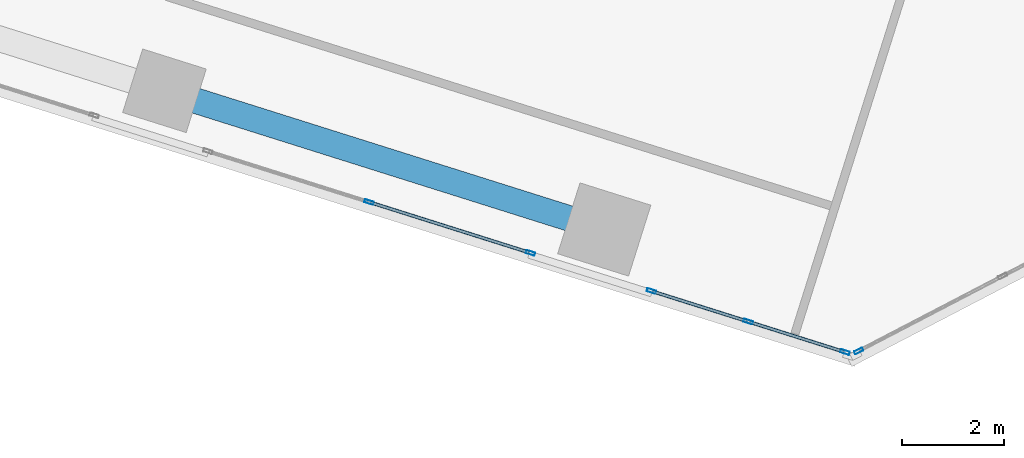
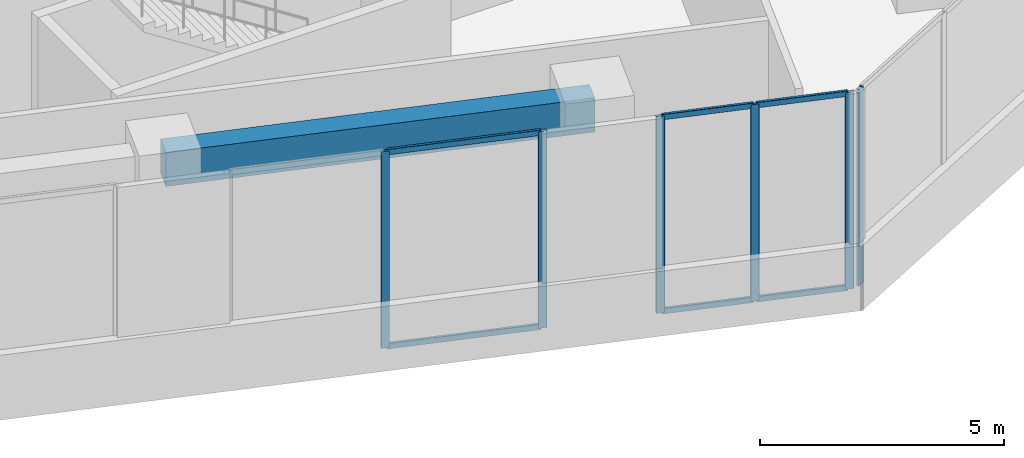
# One storey, part 4 of 28: 12 members, 1 beam, 3 elements without a shape of their own.
"""IFC4 building model written with IfcOpenShell, lengths in metres."""

from ifc_helpers import new_model, si_unit, direction, frame, origin, origin_2d, place, context, subcontext, project, spatial, rectangle, hollow_rectangle, extrude, source, transform, mapped, material, material_profile, profile_set, type_object, element, aggregate, save


model = new_model("IFC4")

# Units and contexts
model_context = context("Model", 3, precision=1e-05, world=origin(), true_north=direction((0.0, 1.0)))
body_context = subcontext(model_context, "Body", "Model", "MODEL_VIEW")
ifc_project = project(units=[si_unit("LENGTHUNIT", "METRE"), si_unit("AREAUNIT", "SQUARE_METRE"), si_unit("VOLUMEUNIT", "CUBIC_METRE"), si_unit("PLANEANGLEUNIT", "RADIAN"), si_unit("MASSUNIT", "GRAM", prefix="KILO")], contexts=[model_context])

# Site, building, storey
site_placement = place(None, origin())
site = spatial("IfcSite", under=ifc_project, at=site_placement, CompositionType="ELEMENT")
building_placement = place(site_placement, origin())
building = spatial("IfcBuilding", under=site, at=building_placement, Name="Torre Montelarca", CompositionType="ELEMENT")
storey_placement = place(building_placement, frame((0.0, 0.0, 116.800048828125)))
storey = spatial("IfcBuildingStorey", under=building, at=storey_placement, Name="L26", CompositionType="ELEMENT", Elevation=116.800048828125)

# Beam
ifc_material_1 = material(Name="Concrete C55/67", Category="concrete")
ifc_material_profile_1 = material_profile(ifc_material_1, rectangle(XDim=0.5, YDim=0.85009765625, at=origin_2d()), Name="RCB500X850", Category="concrete")
ifc_profile_set_1 = profile_set([ifc_material_profile_1], Name="Concrete C55/67")
beam_type = type_object("IfcBeamType", Name="BM-SP-RC850-EXT", PredefinedType="SPANDREL", material=ifc_profile_set_1)
shared_shape_1 = source(origin(), body_context, "Body", "SweptSolid", [
    extrude(rectangle(XDim=0.5, YDim=0.85009765625, at=origin_2d()), origin(), (0.0, 0.0, 1.0), 8.999755859375),
])
beam_placement = place(storey_placement, frame((12.989990234375, 16.6484375, 4.695068359375), z_axis=(0.953716635826, -0.300706798308, 0.0), x_axis=(0.300706798308, 0.953716635826, 0.0)))
element("IfcBeam", 1, at=beam_placement, inside=storey, type_object=beam_type, Name="L26 Grid Girder X 18.0-27.0 at Y=14.8", PredefinedType="SPANDREL", context=body_context, shape_type="MappedRepresentation", body=[
    mapped(shared_shape_1, transform((0.0, 0.0, 0.0), scale=1.0)),
])

# Curtain wall, members
ifc_material_2 = material(Name="Insulated low-E laminated glass", Category="glass")
curtain_wall_type = type_object("IfcCurtainWallType", Name="CW-SYS-Z1", PredefinedType="USERDEFINED", material=ifc_material_2)
curtain_wall_1_placement = place(storey_placement, origin())
curtain_wall_1 = element("IfcCurtainWall", 2, at=curtain_wall_1_placement, inside=storey, type_object=curtain_wall_type, Name="L26 Curtain Wall Run CW-T3-L26-E01-B2", ObjectType="UNITISED GLAZING", PredefinedType="USERDEFINED")
ifc_material_3 = material(Name="Anodised aluminium AA 6063-T6", Category="aluminium")
ifc_material_profile_2 = material_profile(ifc_material_3, hollow_rectangle(XDim=0.06494140625, YDim=0.139892578125, WallThickness=0.00390625, InnerFilletRadius=0.00390625, OuterFilletRadius=0.008056640625, at=origin_2d()), Name="ALU65X140X4", Category="aluminium")
ifc_profile_set_2 = profile_set([ifc_material_profile_2], Name="Anodised aluminium AA 6063-T6")
member_type_1 = type_object("IfcMemberType", Name="CWT-ALU140", PredefinedType="USERDEFINED", material=ifc_profile_set_2)
shared_shape_2 = source(origin(), body_context, "Body", "SweptSolid", [
    extrude(hollow_rectangle(XDim=0.06494140625, YDim=0.139892578125, WallThickness=0.00390625, InnerFilletRadius=0.00390625, OuterFilletRadius=0.008056640625, at=origin_2d()), origin(), (0.0, 0.0, 1.0), 3.235107421875),
])
member_1_placement = place(storey_placement, frame((17.01513671875, 14.46728515625, 0.032470703125), z_axis=(0.95371145552, -0.300723227587, 0.0), x_axis=(0.300723227587, 0.95371145552, 0.0)))
member_1 = element("IfcMember", 3, at=member_1_placement, type_object=member_type_1, Name="CW transom 2.1", ObjectType="TRANSOM", PredefinedType="USERDEFINED", context=body_context, shape_type="MappedRepresentation", body=[
    mapped(shared_shape_2, transform((0.0, 0.0, 0.0), scale=1.0)),
])
member_2_placement = place(storey_placement, frame((17.01513671875, 14.46728515625, 4.887451171875), z_axis=(0.95371145552, -0.300723227587, 0.0), x_axis=(0.300723227587, 0.95371145552, 0.0)))
member_2 = element("IfcMember", 4, at=member_2_placement, type_object=member_type_1, Name="CW transom 2.2", ObjectType="TRANSOM", PredefinedType="USERDEFINED", context=body_context, shape_type="MappedRepresentation", body=[
    mapped(shared_shape_2, transform((0.0, 0.0, 0.0), scale=1.0)),
])

curtain_wall_2_placement = place(storey_placement, origin())
curtain_wall_2 = element("IfcCurtainWall", 5, at=curtain_wall_2_placement, inside=storey, type_object=curtain_wall_type, Name="L26 Curtain Wall Run CW-T3-L26-E01-B3", ObjectType="UNITISED GLAZING", PredefinedType="USERDEFINED")
shared_shape_3 = source(origin(), body_context, "Body", "SweptSolid", [
    extrude(hollow_rectangle(XDim=0.06494140625, YDim=0.139892578125, WallThickness=0.00390625, InnerFilletRadius=0.00390625, OuterFilletRadius=0.008056640625, at=origin_2d()), origin(), (0.0, 0.0, 1.0), 1.9169921875),
])
member_3_placement = place(storey_placement, frame((24.413330078125, 12.134521484375, 0.032470703125), z_axis=(0.953726907375, -0.300674219297, 0.0), x_axis=(0.300674219297, 0.953726907375, 0.0)))
member_3 = element("IfcMember", 6, at=member_3_placement, type_object=member_type_1, Name="CW transom 2.1", ObjectType="TRANSOM", PredefinedType="USERDEFINED", context=body_context, shape_type="MappedRepresentation", body=[
    mapped(shared_shape_3, transform((0.0, 0.0, 0.0), scale=1.0)),
])
member_4_placement = place(storey_placement, frame((24.413330078125, 12.134521484375, 4.887451171875), z_axis=(0.953726907375, -0.300674219297, 0.0), x_axis=(0.300674219297, 0.953726907375, 0.0)))
member_4 = element("IfcMember", 7, at=member_4_placement, type_object=member_type_1, Name="CW transom 2.2", ObjectType="TRANSOM", PredefinedType="USERDEFINED", context=body_context, shape_type="MappedRepresentation", body=[
    mapped(shared_shape_3, transform((0.0, 0.0, 0.0), scale=1.0)),
])
shared_shape_4 = source(origin(), body_context, "Body", "SweptSolid", [
    extrude(hollow_rectangle(XDim=0.06494140625, YDim=0.139892578125, WallThickness=0.00390625, InnerFilletRadius=0.00390625, OuterFilletRadius=0.008056640625, at=origin_2d()), origin(), (0.0, 0.0, 1.0), 1.917236328125),
])
member_5_placement = place(storey_placement, frame((22.52294921875, 12.730712890625, 0.032470703125), z_axis=(0.953690382608, -0.300790049903, 0.0), x_axis=(0.300790049903, 0.953690382608, 0.0)))
member_5 = element("IfcMember", 8, at=member_5_placement, type_object=member_type_1, Name="CW transom 1.1", ObjectType="TRANSOM", PredefinedType="USERDEFINED", context=body_context, shape_type="MappedRepresentation", body=[
    mapped(shared_shape_4, transform((0.0, 0.0, 0.0), scale=1.0)),
])
member_6_placement = place(storey_placement, frame((22.52294921875, 12.730712890625, 4.887451171875), z_axis=(0.953690382608, -0.300790049903, 0.0), x_axis=(0.300790049903, 0.953690382608, 0.0)))
member_6 = element("IfcMember", 9, at=member_6_placement, type_object=member_type_1, Name="CW transom 1.2", ObjectType="TRANSOM", PredefinedType="USERDEFINED", context=body_context, shape_type="MappedRepresentation", body=[
    mapped(shared_shape_4, transform((0.0, 0.0, 0.0), scale=1.0)),
])

# Member
ifc_material_profile_3 = material_profile(ifc_material_3, hollow_rectangle(XDim=0.06494140625, YDim=0.179931640625, WallThickness=0.00390625, InnerFilletRadius=0.00390625, OuterFilletRadius=0.008056640625, at=origin_2d()), Name="ALU65X180X4", Category="aluminium")
ifc_profile_set_3 = profile_set([ifc_material_profile_3], Name="Anodised aluminium AA 6063-T6")
member_type_2 = type_object("IfcMemberType", Name="CWM-ALU180", PredefinedType="MULLION", material=ifc_profile_set_3)
shared_shape_5 = source(origin(), body_context, "Body", "SweptSolid", [
    extrude(hollow_rectangle(XDim=0.06494140625, YDim=0.179931640625, WallThickness=0.00390625, InnerFilletRadius=0.00390625, OuterFilletRadius=0.008056640625, at=origin_2d()), origin(), (0.0, 0.0, 1.0), 4.919921875),
])
member_7_placement = place(storey_placement, frame((16.984130859375, 14.47705078125, 0.0), z_axis=(0.0, 0.0, 1.0), x_axis=(0.300692595648, 0.953721113808, 0.0)))
member_7 = element("IfcMember", 10, at=member_7_placement, type_object=member_type_2, Name="CW mullion 2", PredefinedType="MULLION", context=body_context, shape_type="MappedRepresentation", body=[
    mapped(shared_shape_5, transform((0.0, 0.0, 0.0), scale=1.0)),
])

member_8_placement = place(storey_placement, frame((20.131591796875, 13.484619140625, 0.0), z_axis=(0.0, 0.0, 1.0), x_axis=(0.300692595648, 0.953721113808, 0.0)))
member_8 = element("IfcMember", 11, at=member_8_placement, type_object=member_type_2, Name="CW mullion 3", PredefinedType="MULLION", context=body_context, shape_type="MappedRepresentation", body=[
    mapped(shared_shape_5, transform((0.0, 0.0, 0.0), scale=1.0)),
])

aggregate(curtain_wall_1, [member_7, member_8, member_1, member_2])

member_9_placement = place(storey_placement, frame((22.491943359375, 12.740478515625, 0.0), z_axis=(0.0, 0.0, 1.0), x_axis=(0.300706102902, 0.953716855087, 0.0)))
member_9 = element("IfcMember", 12, at=member_9_placement, type_object=member_type_2, Name="CW mullion 1", PredefinedType="MULLION", context=body_context, shape_type="MappedRepresentation", body=[
    mapped(shared_shape_5, transform((0.0, 0.0, 0.0), scale=1.0)),
])

member_10_placement = place(storey_placement, frame((24.38232421875, 12.144287109375, 0.0), z_axis=(0.0, 0.0, 1.0), x_axis=(0.300706102902, 0.953716855087, 0.0)))
member_10 = element("IfcMember", 13, at=member_10_placement, type_object=member_type_2, Name="CW mullion 2", PredefinedType="MULLION", context=body_context, shape_type="MappedRepresentation", body=[
    mapped(shared_shape_5, transform((0.0, 0.0, 0.0), scale=1.0)),
])

member_11_placement = place(storey_placement, frame((26.272705078125, 11.54833984375, 0.0), z_axis=(0.0, 0.0, 1.0), x_axis=(0.300706102902, 0.953716855087, 0.0)))
member_11 = element("IfcMember", 14, at=member_11_placement, type_object=member_type_2, Name="CW mullion 3", PredefinedType="MULLION", context=body_context, shape_type="MappedRepresentation", body=[
    mapped(shared_shape_5, transform((0.0, 0.0, 0.0), scale=1.0)),
])

aggregate(curtain_wall_2, [member_9, member_10, member_11, member_5, member_6, member_3, member_4])

# Curtain wall, member
curtain_wall_3_placement = place(storey_placement, origin())
curtain_wall_3 = element("IfcCurtainWall", 15, at=curtain_wall_3_placement, inside=storey, type_object=curtain_wall_type, Name="L26 Curtain Wall Run CW-T3-L26-E02-B1", ObjectType="UNITISED GLAZING", PredefinedType="USERDEFINED")
member_12_placement = place(storey_placement, frame((26.53857421875, 11.571533203125, 0.0), z_axis=(0.0, 0.0, 1.0), x_axis=(-0.461741342198, 0.887014618203, 0.0)))
member_12 = element("IfcMember", 16, at=member_12_placement, type_object=member_type_2, Name="CW mullion 1", PredefinedType="MULLION", context=body_context, shape_type="MappedRepresentation", body=[
    mapped(shared_shape_5, transform((0.0, 0.0, 0.0), scale=1.0)),
])
aggregate(curtain_wall_3, [member_12])

save(model, "model.ifc")
